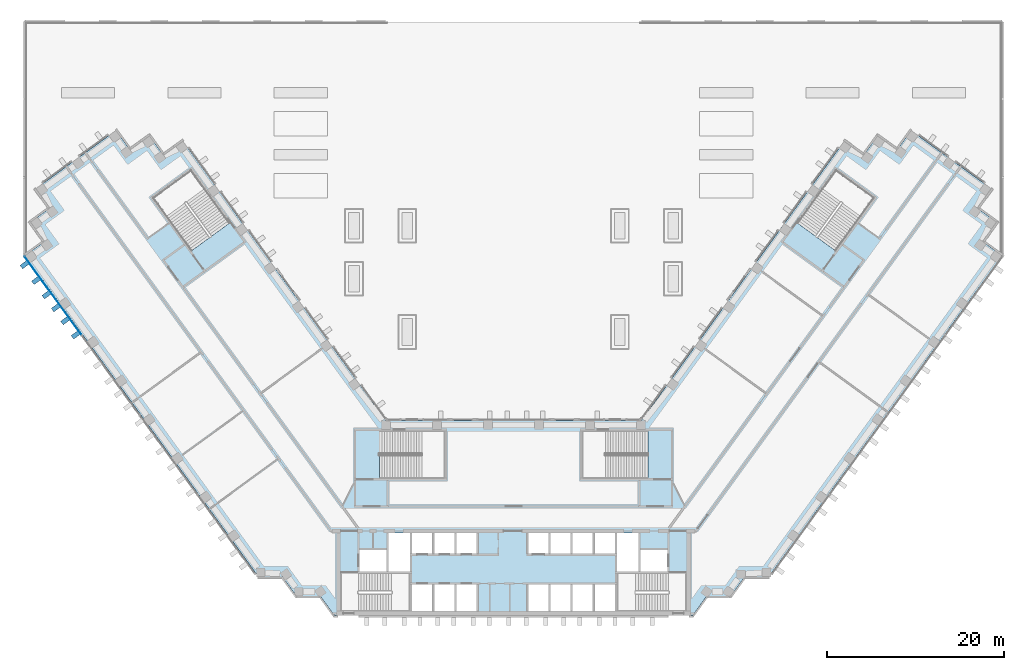
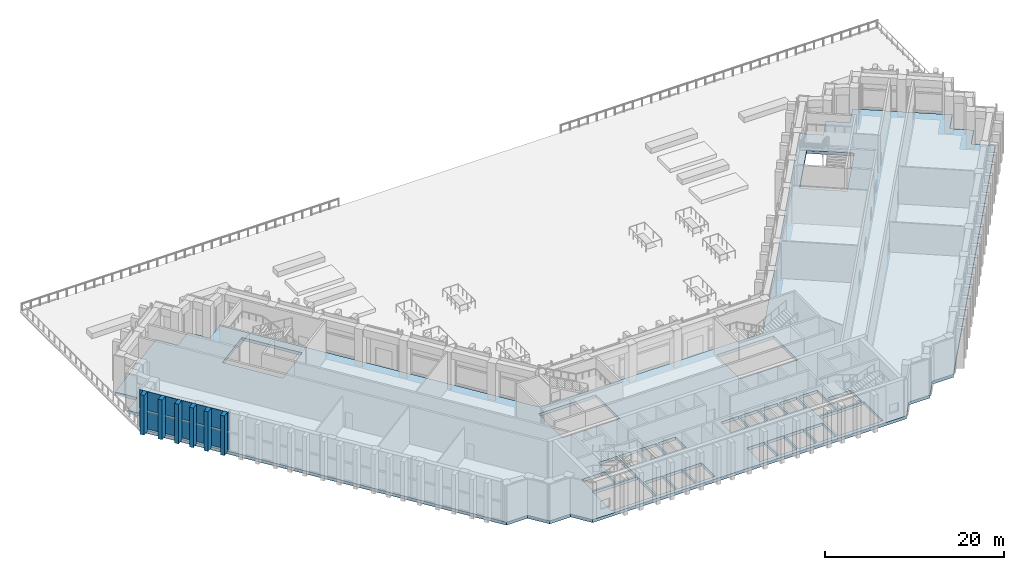
# One storey, part 9 of 25: 8 plates, 1 slab, 1 element without a shape of its own.
"""IFC4 building model written with IfcOpenShell, lengths in metres."""

import ifcopenshell
import ifcopenshell.guid

model = None  # the IFC model being written
_history = None  # IfcOwnerHistory: only IFC2X3 demands one
_inside = {}  # id of a spatial element -> (the spatial element, [elements in it])
_under = {}  # id of a project, library or spatial element -> (it, [spatial elements below it])
_declared = {}  # id of a project -> (the project, [libraries it declares])
_typed = {}  # id of a type object -> (the type object, [elements of that type])
_made_of = {}  # id of a material, layer set ... -> (it, [elements and type objects made of it])


def new_model(schema):
    """Start an empty IFC model of exactly this schema.

    Asked for "IFC4X3", IfcOpenShell would pick the latest addendum, in which some entities
    have other attributes; the version numbers below select the first issue.
    IFC2X3 requires an IfcOwnerHistory on every rooted entity: one is made here for all.
    """
    global model, _history
    if schema == "IFC4X3":
        model = ifcopenshell.file(schema_version=(4, 3, 0, 0))
    else:
        model = ifcopenshell.file(schema=schema)
    _inside.clear()
    _under.clear()
    _declared.clear()
    _typed.clear()
    _made_of.clear()
    _history = None
    if model.schema == "IFC2X3":
        org = make("IfcOrganization", Name="unknown")
        user = make(
            "IfcPersonAndOrganization",
            ThePerson=make("IfcPerson", FamilyName="unknown"),
            TheOrganization=org,
        )
        app = make(
            "IfcApplication",
            ApplicationDeveloper=org,
            Version="unknown",
            ApplicationFullName="unknown",
            ApplicationIdentifier="unknown",
        )
        _history = make(
            "IfcOwnerHistory",
            OwningUser=user,
            OwningApplication=app,
            ChangeAction="ADDED",
            CreationDate=0,
        )
    return model


def make(cls, **values):
    """One entity of the class cls with the attributes given. An attribute that is None is left unset."""
    return model.create_entity(
        cls, **{name: value for name, value in values.items() if value is not None}
    )


def rooted(cls, **values):
    """An entity with a GlobalId (a new one), such as an element, a storey or a relation."""
    return make(cls, GlobalId=ifcopenshell.guid.new(), OwnerHistory=_history, **values)


def si_unit(unit_type, name, prefix=None):
    """IfcSIUnit, for example si_unit("LENGTHUNIT", "METRE", prefix="MILLI")."""
    return make("IfcSIUnit", UnitType=unit_type, Prefix=prefix, Name=name)


def assignment(units):
    """IfcUnitAssignment: the units of a project."""
    return None if units is None else make("IfcUnitAssignment", Units=units)


def point(xyz):
    """IfcCartesianPoint."""
    return None if xyz is None else make("IfcCartesianPoint", Coordinates=xyz)


def direction(xyz):
    """IfcDirection."""
    return None if xyz is None else make("IfcDirection", DirectionRatios=xyz)


def frame(location, z_axis=None, x_axis=None):
    """IfcAxis2Placement3D, a coordinate frame: its origin and axes. An axis left out is left unset."""
    return make(
        "IfcAxis2Placement3D",
        Location=point(location),
        Axis=direction(z_axis),
        RefDirection=direction(x_axis),
    )


def frame_2d(location, x_axis=None):
    """IfcAxis2Placement2D, a coordinate frame in the plane: its origin and x axis."""
    return make(
        "IfcAxis2Placement2D", Location=point(location), RefDirection=direction(x_axis)
    )


def origin():
    """The frame at (0, 0, 0) with its axes left unset."""
    return frame((0.0, 0.0, 0.0))


def origin_2d():
    """The frame at (0, 0) in the plane with its x axis left unset."""
    return frame_2d((0.0, 0.0))


def place(relative_to, where):
    """IfcLocalPlacement: puts the frame where relative to a parent placement (None: the world)."""
    return make(
        "IfcLocalPlacement", PlacementRelTo=relative_to, RelativePlacement=where
    )


def context(
    kind, dimensions, precision=None, world=None, true_north=None, identifier=None
):
    """IfcGeometricRepresentationContext, for example the 3D "Model" context."""
    return make(
        "IfcGeometricRepresentationContext",
        ContextIdentifier=identifier,
        ContextType=kind,
        CoordinateSpaceDimension=dimensions,
        Precision=precision,
        WorldCoordinateSystem=world,
        TrueNorth=true_north,
    )


def subcontext(parent, identifier, kind, view, scale=None):
    """IfcGeometricRepresentationSubContext, for example "Body" below "Model"."""
    return make(
        "IfcGeometricRepresentationSubContext",
        ContextIdentifier=identifier,
        ContextType=kind,
        ParentContext=parent,
        TargetScale=scale,
        TargetView=view,
    )


def project(units=None, contexts=None):
    """IfcProject with its units and contexts."""
    return rooted(
        "IfcProject",
        Name="project",
        RepresentationContexts=contexts,
        UnitsInContext=assignment(units),
    )


def spatial(cls, under=None, at=None, **own):
    """A site, building, storey or space (cls), placed at a placement, below another one or the project."""
    s = rooted(cls, ObjectPlacement=at, **own)
    if under is not None:
        _under.setdefault(under.id(), (under, []))[1].append(s)
    return s


def polyline(points):
    """IfcPolyline through the points."""
    return make("IfcPolyline", Points=[point(p) for p in points])


def profile(cls, at=None, kind="AREA", **sizes):
    """A parametric profile (cls). Its sizes go by their IFC names, for example OverallWidth=200.0."""
    return make(cls, ProfileType=kind, Position=at, **sizes)


def rectangle(**sizes):
    """IfcRectangleProfileDef."""
    return profile("IfcRectangleProfileDef", **sizes)


def outline(outer, holes=None, kind="AREA"):
    """IfcArbitraryClosedProfileDef: a profile drawn as a closed curve; with holes, ...WithVoids."""
    if holes is None:
        return make("IfcArbitraryClosedProfileDef", ProfileType=kind, OuterCurve=outer)
    return make(
        "IfcArbitraryProfileDefWithVoids",
        ProfileType=kind,
        OuterCurve=outer,
        InnerCurves=holes,
    )


def extrude(swept, where, along, depth):
    """IfcExtrudedAreaSolid: the profile swept, set in the frame where, extruded along a direction by depth."""
    return make(
        "IfcExtrudedAreaSolid",
        SweptArea=swept,
        Position=where,
        ExtrudedDirection=direction(along),
        Depth=depth,
    )


def shape(context_of_items, identifier, shape_type, items):
    """IfcShapeRepresentation: the items that make up one representation, for example the "Body"."""
    return make(
        "IfcShapeRepresentation",
        ContextOfItems=context_of_items,
        RepresentationIdentifier=identifier,
        RepresentationType=shape_type,
        Items=items,
    )


def material(Name=None, Category=None):
    """IfcMaterial."""
    return make("IfcMaterial", Name=Name, Category=Category)


def layer(
    of_material, thickness, ventilated=None, Name=None, Category=None, Priority=None
):
    """IfcMaterialLayer: one layer of a wall or slab, of a material (None: an air gap)."""
    return make(
        "IfcMaterialLayer",
        Material=of_material,
        LayerThickness=thickness,
        IsVentilated=ventilated,
        Name=Name,
        Category=Category,
        Priority=Priority,
    )


def layer_set(layers, Name=None):
    """IfcMaterialLayerSet."""
    return make("IfcMaterialLayerSet", MaterialLayers=layers, LayerSetName=Name)


def made_of(thing, what):
    """Note that an element or type object is made of a material, layer set ...; save() writes the relation."""
    if what is not None:
        _made_of.setdefault(what.id(), (what, []))[1].append(thing)
    return thing


def type_object(cls, material=None, **own):
    """A type object (cls), such as IfcWallType, which elements share."""
    return made_of(rooted(cls, **own), material)


def element(
    cls,
    number,
    at=None,
    inside=None,
    cuts=None,
    type_object=None,
    material=None,
    context=None,
    identifier="Body",
    shape_type=None,
    held_by="IfcProductDefinitionShape",
    body=None,
    shapes=None,
    **own,
):
    """One element of the class cls, such as IfcWall. Its Tag is "e" and its number.

    at: its placement. inside: the storey or other place that contains it. cuts: it is an
    opening in that element (IfcRelVoidsElement). A single representation is given by context,
    identifier, shape_type and body (its items); several are given by shapes. held_by: the class
    of the entity that holds the representations. save() writes the other relations.
    """
    e = rooted(cls, Tag="e%d" % number, ObjectPlacement=at, **own)
    if body is not None:
        shapes = [shape(context, identifier, shape_type, body)]
    if shapes is not None:
        e.Representation = make(held_by, Representations=shapes)
    if inside is not None:
        _inside.setdefault(inside.id(), (inside, []))[1].append(e)
    if cuts is not None:
        rooted(
            "IfcRelVoidsElement", RelatingBuildingElement=cuts, RelatedOpeningElement=e
        )
    if type_object is not None:
        _typed.setdefault(type_object.id(), (type_object, []))[1].append(e)
    return made_of(e, material)


def aggregate(whole, parts):
    """IfcRelAggregates: a whole, such as a stair, and the parts it consists of."""
    return rooted("IfcRelAggregates", RelatingObject=whole, RelatedObjects=parts)


def save(model, path):
    """Write the relations noted so far, then the file.

    IfcRelAggregates (storeys below a building ...), IfcRelContainedInSpatialStructure (elements
    in a storey), IfcRelDefinesByType, IfcRelAssociatesMaterial and IfcRelDeclares: one each for
    every whole, place, type object, material and project.
    """
    for whole, parts in _under.values():
        aggregate(whole, parts)
    for where, things in _inside.values():
        rooted(
            "IfcRelContainedInSpatialStructure",
            RelatedElements=things,
            RelatingStructure=where,
        )
    for kind, things in _typed.values():
        rooted("IfcRelDefinesByType", RelatedObjects=things, RelatingType=kind)
    for what, things in _made_of.values():
        rooted("IfcRelAssociatesMaterial", RelatedObjects=things, RelatingMaterial=what)
    for by, libraries in _declared.values():
        rooted("IfcRelDeclares", RelatingContext=by, RelatedDefinitions=libraries)
    model.write(path)


model = new_model("IFC4")

# Units and contexts
model_context = context("Model", 3, precision=1e-05, world=origin(), true_north=direction((0.0, 1.0)))
body_context = subcontext(model_context, "Body", "Model", "MODEL_VIEW")
ifc_project = project(units=[si_unit("LENGTHUNIT", "METRE"), si_unit("AREAUNIT", "SQUARE_METRE"), si_unit("VOLUMEUNIT", "CUBIC_METRE"), si_unit("PLANEANGLEUNIT", "RADIAN"), si_unit("MASSUNIT", "GRAM", prefix="KILO")], contexts=[model_context])

# Site, building, storey
site_placement = place(None, origin())
site = spatial("IfcSite", under=ifc_project, at=site_placement, CompositionType="ELEMENT")
building_placement = place(site_placement, origin())
building = spatial("IfcBuilding", under=site, at=building_placement, Name="Quipu Civic Tower", CompositionType="ELEMENT")
storey_placement = place(building_placement, frame((0.0, 0.0, 6.0)))
storey = spatial("IfcBuildingStorey", under=building, at=storey_placement, Name="L01", CompositionType="ELEMENT", Elevation=6.0)

# Slab
ifc_material_1 = material(Name="Concrete C40/50", Category="concrete")
ifc_layer_1 = layer(ifc_material_1, 0.39990234375)
ifc_layer_set_1 = layer_set([ifc_layer_1], Name="Concrete C40/50")
slab_type = type_object("IfcSlabType", Name="Floor slab 400 C40/50", PredefinedType="FLOOR", material=ifc_layer_set_1)
slab_placement = place(storey_placement, frame((0.0, 0.0, -0.39990234375)))
element("IfcSlab", 1, at=slab_placement, inside=storey, type_object=slab_type, Name="Floor slab L01", PredefinedType="FLOOR", context=body_context, shape_type="SweptSolid", body=[
    extrude(outline(polyline([(37.31494140625, 42.550048828125), (39.5, 40.9599609375), (41.0849609375, 43.14501953125), (43.27001953125, 41.56005859375), (44.860107421875, 43.739990234375), (53.919921875, 37.159912109375), (52.3349609375, 34.97509765625), (54.514892578125, 33.389892578125), (52.929931640625, 31.205078125), (55.114990234375, 29.614990234375), (28.780029296875, -6.6298828125), (26.080078125, -6.6298828125), (24.489990234375, -8.81494140625), (21.7900390625, -8.81494140625), (20.205078125, -11.0), (-20.205078125, -11.0), (-21.7900390625, -8.81494140625), (-24.489990234375, -8.81494140625), (-26.080078125, -6.6298828125), (-28.780029296875, -6.6298828125), (-55.114990234375, 29.614990234375), (-52.929931640625, 31.205078125), (-54.514892578125, 33.389892578125), (-52.3349609375, 34.97509765625), (-53.919921875, 37.159912109375), (-44.860107421875, 43.739990234375), (-43.27001953125, 41.56005859375), (-41.0849609375, 43.14501953125), (-39.5, 40.9599609375), (-37.31494140625, 42.550048828125), (-14.39501953125, 11.0), (14.39501953125, 11.0), (37.31494140625, 42.550048828125)]), holes=[polyline([(-11.449951171875, -7.5), (-11.449951171875, -10.5), (-9.14990234375, -10.5), (-9.14990234375, -7.5), (-11.449951171875, -7.5)]), polyline([(-6.64990234375, -7.5), (-8.949951171875, -7.5), (-8.949951171875, -10.5), (-6.64990234375, -10.5), (-6.64990234375, -7.5)]), polyline([(-4.14990234375, -7.5), (-6.449951171875, -7.5), (-6.449951171875, -10.5), (-4.14990234375, -10.5), (-4.14990234375, -7.5)]), polyline([(1.64990234375, -7.5), (1.64990234375, -10.5), (3.949951171875, -10.5), (3.949951171875, -7.5), (1.64990234375, -7.5)]), polyline([(-11.705078125, -10.4951171875), (-11.705078125, -6.2548828125), (-17.4951171875, -6.2548828125), (-17.4951171875, -10.4951171875), (-11.705078125, -10.4951171875)]), polyline([(-14.35009765625, -3.60009765625), (-17.35009765625, -3.60009765625), (-17.35009765625, -6.0), (-14.35009765625, -6.0), (-14.35009765625, -3.60009765625)]), polyline([(-14.10009765625, -1.699951171875), (-14.10009765625, -6.0), (-11.699951171875, -6.0), (-11.699951171875, -1.699951171875), (-14.10009765625, -1.699951171875)]), polyline([(-9.14990234375, -1.699951171875), (-11.449951171875, -1.699951171875), (-11.449951171875, -4.0), (-9.14990234375, -4.0), (-9.14990234375, -1.699951171875)]), polyline([(-6.64990234375, -1.699951171875), (-8.949951171875, -1.699951171875), (-8.949951171875, -4.0), (-6.64990234375, -4.0), (-6.64990234375, -1.699951171875)]), polyline([(-6.449951171875, -1.699951171875), (-6.449951171875, -4.0), (-4.14990234375, -4.0), (-4.14990234375, -1.699951171875), (-6.449951171875, -1.699951171875)]), polyline([(-7.7548828125, 4.5048828125), (-7.7548828125, 9.844970703125), (-15.14501953125, 9.844970703125), (-15.14501953125, 4.5048828125), (-7.7548828125, 4.5048828125)]), polyline([(-36.364990234375, 39.27490234375), (-40.68505859375, 36.135009765625), (-36.344970703125, 30.159912109375), (-32.02490234375, 33.300048828125), (-36.364990234375, 39.27490234375)]), polyline([(4.14990234375, -7.5), (4.14990234375, -10.5), (6.449951171875, -10.5), (6.449951171875, -7.5), (4.14990234375, -7.5)]), polyline([(8.949951171875, -7.5), (6.64990234375, -7.5), (6.64990234375, -10.5), (8.949951171875, -10.5), (8.949951171875, -7.5)]), polyline([(11.449951171875, -7.5), (9.14990234375, -7.5), (9.14990234375, -10.5), (11.449951171875, -10.5), (11.449951171875, -7.5)]), polyline([(11.705078125, -10.4951171875), (17.4951171875, -10.4951171875), (17.4951171875, -6.2548828125), (11.705078125, -6.2548828125), (11.705078125, -10.4951171875)]), polyline([(17.35009765625, -3.60009765625), (14.35009765625, -3.60009765625), (14.35009765625, -6.0), (17.35009765625, -6.0), (17.35009765625, -3.60009765625)]), polyline([(14.10009765625, -1.699951171875), (11.699951171875, -1.699951171875), (11.699951171875, -6.0), (14.10009765625, -6.0), (14.10009765625, -1.699951171875)]), polyline([(1.64990234375, -1.699951171875), (1.64990234375, -4.0), (3.949951171875, -4.0), (3.949951171875, -1.699951171875), (1.64990234375, -1.699951171875)]), polyline([(6.449951171875, -1.699951171875), (4.14990234375, -1.699951171875), (4.14990234375, -4.0), (6.449951171875, -4.0), (6.449951171875, -1.699951171875)]), polyline([(8.949951171875, -1.699951171875), (6.64990234375, -1.699951171875), (6.64990234375, -4.0), (8.949951171875, -4.0), (8.949951171875, -1.699951171875)]), polyline([(9.14990234375, -1.699951171875), (9.14990234375, -4.0), (11.449951171875, -4.0), (11.449951171875, -1.699951171875), (9.14990234375, -1.699951171875)]), polyline([(7.7548828125, 9.844970703125), (7.7548828125, 4.5048828125), (15.14501953125, 4.5048828125), (15.14501953125, 9.844970703125), (7.7548828125, 9.844970703125)]), polyline([(40.68505859375, 36.135009765625), (36.364990234375, 39.27490234375), (32.02490234375, 33.300048828125), (36.344970703125, 30.159912109375), (40.68505859375, 36.135009765625)])]), origin(), (0.0, 0.0, 1.0), 0.39990234375),
])

# Curtain wall, plates
ifc_material_2 = material(Name="Insulated glass unit", Category="glass")
curtain_wall_type = type_object("IfcCurtainWallType", Name="Council chamber curtain wall CW4", PredefinedType="NOTDEFINED", material=ifc_material_2)
curtain_wall_placement = place(storey_placement, origin())
curtain_wall = element("IfcCurtainWall", 2, at=curtain_wall_placement, inside=storey, type_object=curtain_wall_type, Name="Council chamber curtain wall CW4 L01 run 20", PredefinedType="NOTDEFINED")
ifc_material_3 = material(Name="Insulated glass unit", Category="glass")
ifc_layer_2 = layer(ifc_material_3, 0.048095703125)
ifc_layer_set_2 = layer_set([ifc_layer_2], Name="Insulated glass unit")
plate_type_1 = type_object("IfcPlateType", Name="Glass panel CW4", PredefinedType="CURTAIN_PANEL", material=ifc_layer_set_2)
plate_1_placement = place(storey_placement, frame((-51.962158203125, 25.107421875, 0.300048828125), z_axis=(0.0, 0.0, 1.0), x_axis=(0.587785356329, -0.809016918788, 0.0)))
plate_1 = element("IfcPlate", 3, at=plate_1_placement, type_object=plate_type_1, Name="CW4 panel 1.1", PredefinedType="CURTAIN_PANEL", context=body_context, shape_type="SweptSolid", body=[
    extrude(rectangle(XDim=10.881591796875, YDim=0.048095703125, at=origin_2d()), origin(), (0.0, 0.0, 1.0), 2.35009765625),
])
plate_2_placement = place(storey_placement, frame((-51.962158203125, 25.107421875, 2.85009765625), z_axis=(0.0, 0.0, 1.0), x_axis=(0.587785356329, -0.809016918788, 0.0)))
plate_2 = element("IfcPlate", 4, at=plate_2_placement, type_object=plate_type_1, Name="CW4 panel 1.2", PredefinedType="CURTAIN_PANEL", context=body_context, shape_type="SweptSolid", body=[
    extrude(rectangle(XDim=10.881591796875, YDim=0.048095703125, at=origin_2d()), origin(), (0.0, 0.0, 1.0), 2.550048828125),
])
aggregate(curtain_wall, [plate_1, plate_2])

# Plates
ifc_material_4 = material(Name="Precast concrete C40/50", Category="concrete")
plate_type_2 = type_object("IfcPlateType", Name="Precast fin F0", PredefinedType="SHEET", material=ifc_material_4)
for number, where, z_axis, x_axis, name in (
    (5, (-55.169921875, 28.587158203125, 0.10009765625), (0.0, 0.0, 1.0), (0.587785716149, -0.809016657363, 0.0), "Precast fin F0 L01.20.1"),
    (6, (-53.876953125, 26.807373046875, 0.10009765625), (0.0, 0.0, 1.0), (0.587785716149, -0.809016657363, 0.0), "Precast fin F0 L01.20.2"),
    (7, (-52.701416015625, 25.189453125, 0.10009765625), (0.0, 0.0, 1.0), (0.587785716149, -0.809016657363, 0.0), "Precast fin F0 L01.20.3"),
    (8, (-51.643310546875, 23.733154296875, 0.10009765625), (0.0, 0.0, 1.0), (0.587785716149, -0.809016657363, 0.0), "Precast fin F0 L01.20.4"),
    (9, (-50.585205078125, 22.27685546875, 0.10009765625), (0.0, 0.0, 1.0), (0.587785716149, -0.809016657363, 0.0), "Precast fin F0 L01.20.5"),
    (10, (-49.40966796875, 20.658935546875, 0.10009765625), (0.0, 0.0, 1.0), (0.587785716149, -0.809016657363, 0.0), "Precast fin F0 L01.20.6"),
):
    element("IfcPlate", number, at=place(storey_placement, frame(where, z_axis=z_axis, x_axis=x_axis)), inside=storey, type_object=plate_type_2, Name=name, PredefinedType="SHEET", context=body_context, shape_type="SweptSolid", body=[
        extrude(rectangle(XDim=0.5, YDim=0.89990234375, at=origin_2d()), origin(), (0.0, 0.0, 1.0), 5.39990234375),
    ])

save(model, "model.ifc")
